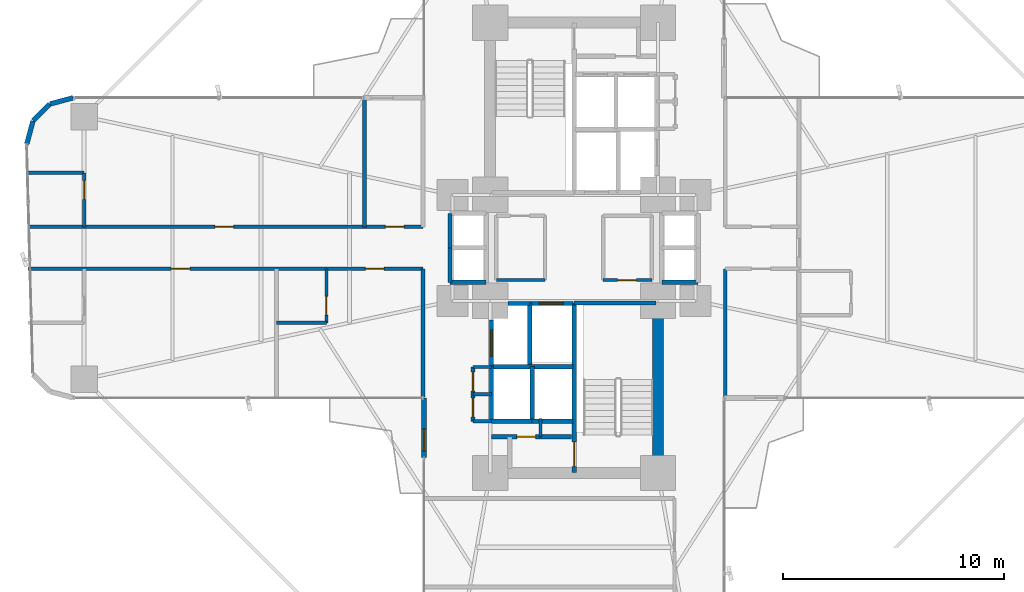
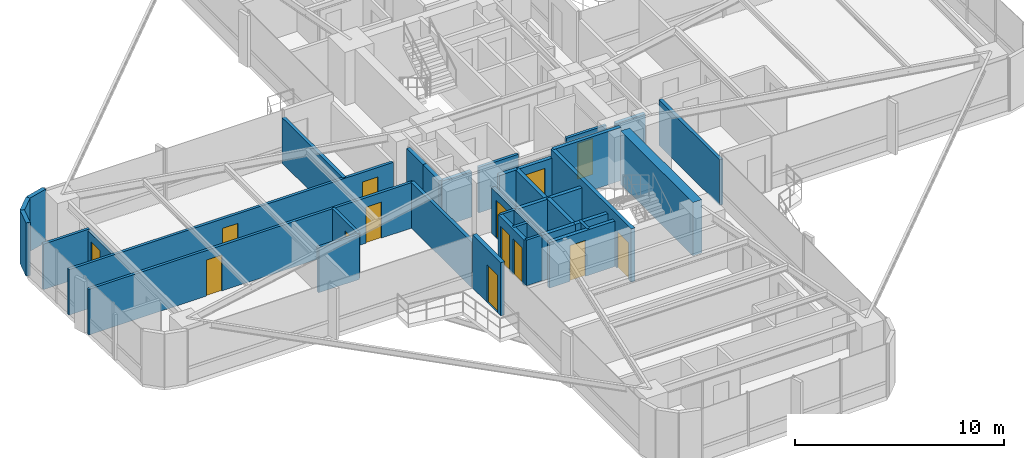
# One storey, part 22 of 26: 37 walls, 14 doors, 14 openings.
"""IFC4 building model written with IfcOpenShell, lengths in metres."""

from ifc_helpers import new_model, si_unit, direction, frame, frame_2d, origin, origin_2d, place, context, subcontext, project, spatial, rectangle, extrude, source, transform, mapped, material, layer, layer_set, type_object, element, fill, save


model = new_model("IFC4")

# Units and contexts
model_context = context("Model", 3, precision=1e-05, world=origin(), true_north=direction((0.0, 1.0)))
body_context = subcontext(model_context, "Body", "Model", "MODEL_VIEW")
ifc_project = project(units=[si_unit("LENGTHUNIT", "METRE"), si_unit("AREAUNIT", "SQUARE_METRE"), si_unit("VOLUMEUNIT", "CUBIC_METRE"), si_unit("PLANEANGLEUNIT", "RADIAN"), si_unit("MASSUNIT", "GRAM", prefix="KILO")], contexts=[model_context])

# Site, building, storey
site_placement = place(None, origin())
site = spatial("IfcSite", under=ifc_project, at=site_placement, CompositionType="ELEMENT")
building_placement = place(site_placement, origin())
building = spatial("IfcBuilding", under=site, at=building_placement, Name="Sahyath Konkavel Grand Hotel", CompositionType="ELEMENT")
storey_placement = place(building_placement, frame((0.0, 0.0, 29.800048828125)))
storey = spatial("IfcBuildingStorey", under=building, at=storey_placement, Name="L07", CompositionType="ELEMENT", Elevation=29.800048828125)

# Walls
ifc_material_1 = material(Name="Concrete C70/85", Category="concrete")
ifc_layer_1 = layer(ifc_material_1, 0.5)
ifc_layer_set_1 = layer_set([ifc_layer_1], Name="Concrete C70/85")
wall_type_1 = type_object("IfcWallType", Name="CWALL-500", PredefinedType="SHEAR", material=ifc_layer_set_1)
wall_1_placement = place(storey_placement, frame((3.800048828125, -9.75, 0.0), z_axis=(0.0, 0.0, 1.0), x_axis=(0.0, 1.0, 0.0)))
element("IfcWall", 1, at=wall_1_placement, inside=storey, type_object=wall_type_1, Name="L07 South Core Shear Wall E", PredefinedType="SHEAR", context=body_context, shape_type="SweptSolid", body=[
    extrude(rectangle(XDim=6.89990234375, YDim=0.5, at=frame_2d((3.449951171875, 0.0))), origin(), (0.0, 0.0, 1.0), 3.10986328125),
])
ifc_material_2 = material(Name="Warm Buff Sandstone Insulated Concrete C40/50", Category="masonry")
ifc_layer_2 = layer(ifc_material_2, 0.219970703125)
ifc_layer_set_2 = layer_set([ifc_layer_2], Name="Warm Buff Sandstone Insulated Concrete C40/50")
wall_type_2 = type_object("IfcWallType", Name="WLL-BALC-THRESH", PredefinedType="STANDARD", material=ifc_layer_set_2)
for number, where, z_axis, x_axis, name in (
    (2, (-22.699951171875, 6.800048828125, 0.0), (0.0, 0.0, 1.0), (-0.965951058412, -0.25872485917, 0.0), "L07 Rounded Corner Sandstone Pier 17"),
    (3, (-23.75, 6.518798828125, 0.0), (0.0, 0.0, 1.0), (-0.707106781187, -0.707106781187, 0.0), "L07 Rounded Corner Sandstone Pier 18"),
    (4, (-24.518798828125, 5.75, 0.0), (0.0, 0.0, 1.0), (-0.25872485917, -0.965951058412, 0.0), "L07 Rounded Corner Sandstone Pier 19"),
):
    element("IfcWall", number, at=place(storey_placement, frame(where, z_axis=z_axis, x_axis=x_axis)), inside=storey, type_object=wall_type_2, Name=name, PredefinedType="STANDARD", context=body_context, shape_type="SweptSolid", body=[
        extrude(rectangle(XDim=1.087158203125, YDim=0.219970703125, at=frame_2d((0.54345703125, 0.0))), origin(), (0.0, 0.0, 1.0), 3.10986328125),
    ])

# Wall, opening, door
wall_2_placement = place(storey_placement, frame((-6.800048828125, -6.800048828125, 0.0), z_axis=(0.0, 0.0, 1.0), x_axis=(0.0, -1.0, 0.0)))
wall_2 = element("IfcWall", 5, at=wall_2_placement, inside=storey, type_object=wall_type_2, Name="L07 Winter-Garden Threshold Wall 24", PredefinedType="STANDARD", context=body_context, shape_type="SweptSolid", body=[
    extrude(rectangle(XDim=2.699951171875, YDim=0.219970703125, at=frame_2d((1.35009765625, 0.0))), origin(), (0.0, 0.0, 1.0), 3.10986328125),
])
opening_1_placement = place(wall_2_placement, frame((1.39990234375, 0.0, 0.0)))
opening_1 = element("IfcOpeningElement", 6, at=opening_1_placement, cuts=wall_2, Name="Opening D-TR1", PredefinedType="OPENING", context=body_context, shape_type="SweptSolid", body=[
    extrude(rectangle(XDim=1.0, YDim=2.199951171875, at=frame_2d((0.5, 1.10009765625))), frame((0.0, 0.1201171875, 0.0), z_axis=(0.0, -1.0, 0.0), x_axis=(1.0, 0.0, 0.0)), (0.0, 0.0, 1.0), 0.239990234375),
])
ifc_material_3 = material(Name="Anodised Bronze Aluminium & Low-E Glazing", Category="aluminium")
door_type_1 = type_object("IfcDoorType", Name="DR-TERRACE-1000", OperationType="NOTDEFINED", PredefinedType="DOOR", material=ifc_material_3)
shared_shape_1 = source(origin(), body_context, "Body", "SweptSolid", [
    extrude(rectangle(XDim=1.0, YDim=0.050048828125, at=origin_2d()), origin(), (0.0, 0.0, 1.0), 2.199951171875),
])
door_1_placement = place(opening_1_placement, frame((0.5, 0.0, 0.0)))
door_1 = element("IfcDoor", 7, at=door_1_placement, inside=storey, type_object=door_type_1, Name="L07 Winter-Garden Terrace Door 24", OperationType="SINGLE_SWING_LEFT", OverallHeight=2.199951171875, OverallWidth=1.0, PredefinedType="DOOR", context=body_context, shape_type="MappedRepresentation", body=[
    mapped(shared_shape_1, transform((0.0, 0.0, 0.0), scale=1.0)),
])
fill(opening_1, door_1)

ifc_material_4 = material(Name="Concrete C40/50", Category="concrete")
ifc_layer_3 = layer(ifc_material_4, 0.199951171875)
ifc_layer_set_3 = layer_set([ifc_layer_3], Name="Concrete C40/50")
wall_type_3 = type_object("IfcWallType", Name="WLL-CORE-200", PredefinedType="SOLIDWALL", material=ifc_layer_set_3)
wall_3_placement = place(storey_placement, frame((0.0, -10.179931640625, 0.0), z_axis=(0.0, 0.0, 1.0), x_axis=(0.0, 1.0, 0.0)))
wall_3 = element("IfcWall", 8, at=wall_3_placement, inside=storey, type_object=wall_type_3, Name="L07 Stair ST-2 Shaft Wall W", PredefinedType="SOLIDWALL", context=body_context, shape_type="SweptSolid", body=[
    extrude(rectangle(XDim=7.679931640625, YDim=0.199951171875, at=frame_2d((3.83984375, 0.0))), origin(), (0.0, 0.0, 1.0), 3.10986328125),
])
opening_2_placement = place(wall_3_placement, frame((0.280029296875, 0.0, 0.0)))
opening_2 = element("IfcOpeningElement", 9, at=opening_2_placement, cuts=wall_3, Name="Opening D-F12B", PredefinedType="OPENING", context=body_context, shape_type="SweptSolid", body=[
    extrude(rectangle(XDim=1.10009765625, YDim=2.14990234375, at=frame_2d((0.550048828125, 1.074951171875))), frame((0.0, 0.10986328125, 0.0), z_axis=(0.0, -1.0, 0.0), x_axis=(1.0, 0.0, 0.0)), (0.0, 0.0, 1.0), 0.219970703125),
])
ifc_material_5 = material(Name="Steel E350 Smokeproof Fire Door", Category="steel")
door_type_2 = type_object("IfcDoorType", Name="DR-FD120-1100", OperationType="NOTDEFINED", PredefinedType="DOOR", material=ifc_material_5)
shared_shape_2 = source(origin(), body_context, "Body", "SweptSolid", [
    extrude(rectangle(XDim=1.10009765625, YDim=0.050048828125, at=origin_2d()), origin(), (0.0, 0.0, 1.0), 2.14990234375),
])
door_2_placement = place(opening_2_placement, frame((0.550048828125, 0.0, 0.0)))
door_2 = element("IfcDoor", 10, at=door_2_placement, inside=storey, type_object=door_type_2, Name="L07 Stair ST-2 Fire Door", OperationType="SINGLE_SWING_LEFT", OverallHeight=2.14990234375, OverallWidth=1.10009765625, PredefinedType="DOOR", context=body_context, shape_type="MappedRepresentation", body=[
    mapped(shared_shape_2, transform((0.0, 0.0, 0.0), scale=1.0)),
])
fill(opening_2, door_2)

# Walls
wall_4_placement = place(storey_placement, frame((0.0, -2.5, 0.0), z_axis=(0.0, 0.0, 1.0), x_axis=(1.0, 0.0, 0.0)))
element("IfcWall", 11, at=wall_4_placement, inside=storey, type_object=wall_type_3, Name="L07 Stair ST-2 Shaft Wall N", PredefinedType="SOLIDWALL", context=body_context, shape_type="SweptSolid", body=[
    extrude(rectangle(XDim=3.719970703125, YDim=0.199951171875, at=frame_2d((1.85986328125, 0.0))), origin(), (0.0, 0.0, 1.0), 3.10986328125),
])
wall_5_placement = place(storey_placement, frame((-2.0, -5.280029296875, 0.0), z_axis=(0.0, 0.0, 1.0), x_axis=(0.0, 1.0, 0.0)))
element("IfcWall", 12, at=wall_5_placement, inside=storey, type_object=wall_type_3, Name="L07 Partition SH-FFL2-W", PredefinedType="SOLIDWALL", context=body_context, shape_type="SweptSolid", body=[
    extrude(rectangle(XDim=2.780029296875, YDim=0.199951171875, at=frame_2d((1.39013671875, 0.0))), origin(), (0.0, 0.0, 1.0), 2.659912109375),
])

# Wall, opening, door
wall_6_placement = place(storey_placement, frame((-2.0, -2.52001953125, 0.0), z_axis=(0.0, 0.0, 1.0), x_axis=(1.0, 0.0, 0.0)))
wall_6 = element("IfcWall", 13, at=wall_6_placement, inside=storey, type_object=wall_type_3, Name="L07 Partition SH-FFL2-N", PredefinedType="SOLIDWALL", context=body_context, shape_type="SweptSolid", body=[
    extrude(rectangle(XDim=1.949951171875, YDim=0.199951171875, at=frame_2d((0.97509765625, 0.0))), origin(), (0.0, 0.0, 1.0), 2.659912109375),
])
opening_3_placement = place(wall_6_placement, frame((0.419921875, 0.0, 0.0)))
opening_3 = element("IfcOpeningElement", 14, at=opening_3_placement, cuts=wall_6, Name="Opening LD-11", PredefinedType="OPENING", context=body_context, shape_type="SweptSolid", body=[
    extrude(rectangle(XDim=1.10009765625, YDim=2.199951171875, at=frame_2d((0.550048828125, 1.10009765625))), frame((0.0, 0.10986328125, 0.0), z_axis=(0.0, -1.0, 0.0), x_axis=(1.0, 0.0, 0.0)), (0.0, 0.0, 1.0), 0.219970703125),
])
ifc_material_6 = material(Name="Bronze Lift Landing Door 1100")
door_type_3 = type_object("IfcDoorType", Name="DR-LIFT-1100", OperationType="DOUBLE_DOOR_SLIDING", PredefinedType="DOOR", material=ifc_material_6)
shared_shape_3 = source(origin(), body_context, "Body", "SweptSolid", [
    extrude(rectangle(XDim=1.10009765625, YDim=0.050048828125, at=origin_2d()), origin(), (0.0, 0.0, 1.0), 2.199951171875),
])
door_3_placement = place(opening_3_placement, frame((0.550048828125, 0.0, 0.0)))
door_3 = element("IfcDoor", 15, at=door_3_placement, inside=storey, type_object=door_type_3, Name="L07 Lift FFL-2 Landing Door", OperationType="DOUBLE_DOOR_SLIDING", OverallHeight=2.199951171875, OverallWidth=1.10009765625, PredefinedType="DOOR", context=body_context, shape_type="MappedRepresentation", body=[
    mapped(shared_shape_3, transform((0.0, 0.0, 0.0), scale=1.0)),
])
fill(opening_3, door_3)

# Wall
wall_7_placement = place(storey_placement, frame((-3.0, -2.52001953125, 0.0), z_axis=(0.0, 0.0, 1.0), x_axis=(1.0, 0.0, 0.0)))
element("IfcWall", 16, at=wall_7_placement, inside=storey, type_object=wall_type_3, Name="L07 Partition SH-SVL2-N", PredefinedType="SOLIDWALL", context=body_context, shape_type="SweptSolid", body=[
    extrude(rectangle(XDim=1.0, YDim=0.199951171875, at=frame_2d((0.5, 0.0))), origin(), (0.0, 0.0, 1.0), 2.659912109375),
])

# Wall, opening, door
wall_8_placement = place(storey_placement, frame((-3.739990234375, -5.360107421875, 0.0), z_axis=(0.0, 0.0, 1.0), x_axis=(0.0, 1.0, 0.0)))
wall_8 = element("IfcWall", 17, at=wall_8_placement, inside=storey, type_object=wall_type_3, Name="L07 Partition SH-SVL2-W", PredefinedType="SOLIDWALL", context=body_context, shape_type="SweptSolid", body=[
    extrude(rectangle(XDim=2.080078125, YDim=0.199951171875, at=frame_2d((1.0400390625, 0.0))), origin(), (0.0, 0.0, 1.0), 2.659912109375),
])
opening_4_placement = place(wall_8_placement, frame((0.43994140625, 0.0, 0.0)))
opening_4 = element("IfcOpeningElement", 18, at=opening_4_placement, cuts=wall_8, Name="Opening LD-12", PredefinedType="OPENING", context=body_context, shape_type="SweptSolid", body=[
    extrude(rectangle(XDim=1.199951171875, YDim=2.199951171875, at=frame_2d((0.60009765625, 1.10009765625))), frame((0.0, 0.10986328125, 0.0), z_axis=(0.0, -1.0, 0.0), x_axis=(1.0, 0.0, 0.0)), (0.0, 0.0, 1.0), 0.219970703125),
])
ifc_material_7 = material(Name="Stainless Steel Lift Landing Door 1200", Category="steel")
door_type_4 = type_object("IfcDoorType", Name="DR-LIFT-1200", OperationType="DOUBLE_DOOR_SLIDING", PredefinedType="DOOR", material=ifc_material_7)
shared_shape_4 = source(origin(), body_context, "Body", "SweptSolid", [
    extrude(rectangle(XDim=1.199951171875, YDim=0.050048828125, at=origin_2d()), origin(), (0.0, 0.0, 1.0), 2.199951171875),
])
door_4_placement = place(opening_4_placement, frame((0.60009765625, 0.0, 0.0)))
door_4 = element("IfcDoor", 19, at=door_4_placement, inside=storey, type_object=door_type_4, Name="L07 Service Lift SVL-2 Landing Door", OperationType="DOUBLE_DOOR_SLIDING", OverallHeight=2.199951171875, OverallWidth=1.199951171875, PredefinedType="DOOR", context=body_context, shape_type="MappedRepresentation", body=[
    mapped(shared_shape_4, transform((0.0, 0.0, 0.0), scale=1.0)),
])
fill(opening_4, door_4)

# Walls
wall_9_placement = place(storey_placement, frame((-3.739990234375, -7.860107421875, 0.0), z_axis=(0.0, 0.0, 1.0), x_axis=(0.0, 1.0, 0.0)))
element("IfcWall", 20, at=wall_9_placement, inside=storey, type_object=wall_type_3, Name="L07 Partition SH-PL3-W", PredefinedType="SOLIDWALL", context=body_context, shape_type="SweptSolid", body=[
    extrude(rectangle(XDim=2.480224609375, YDim=0.199951171875, at=frame_2d((1.240234375, 0.0))), origin(), (0.0, 0.0, 1.0), 2.659912109375),
])
wall_10_placement = place(storey_placement, frame((-3.739990234375, -7.860107421875, 0.0), z_axis=(0.0, 0.0, 1.0), x_axis=(1.0, 0.0, 0.0)))
element("IfcWall", 21, at=wall_10_placement, inside=storey, type_object=wall_type_3, Name="L07 Partition SH-PL3-S", PredefinedType="SOLIDWALL", context=body_context, shape_type="SweptSolid", body=[
    extrude(rectangle(XDim=1.840087890625, YDim=0.199951171875, at=frame_2d((0.919921875, 0.0))), origin(), (0.0, 0.0, 1.0), 2.659912109375),
])
wall_11_placement = place(storey_placement, frame((-3.739990234375, -5.3798828125, 0.0), z_axis=(0.0, 0.0, 1.0), x_axis=(1.0, 0.0, 0.0)))
element("IfcWall", 22, at=wall_11_placement, inside=storey, type_object=wall_type_3, Name="L07 Partition SH-PL34-N", PredefinedType="SOLIDWALL", context=body_context, shape_type="SweptSolid", body=[
    extrude(rectangle(XDim=3.68994140625, YDim=0.199951171875, at=frame_2d((1.844970703125, 0.0))), origin(), (0.0, 0.0, 1.0), 2.659912109375),
])
wall_12_placement = place(storey_placement, frame((-1.89990234375, -7.860107421875, 0.0), z_axis=(0.0, 0.0, 1.0), x_axis=(0.0, 1.0, 0.0)))
element("IfcWall", 23, at=wall_12_placement, inside=storey, type_object=wall_type_3, Name="L07 Partition SH-PL34-M", PredefinedType="SOLIDWALL", context=body_context, shape_type="SweptSolid", body=[
    extrude(rectangle(XDim=2.480224609375, YDim=0.199951171875, at=frame_2d((1.240234375, 0.0))), origin(), (0.0, 0.0, 1.0), 2.659912109375),
])
wall_13_placement = place(storey_placement, frame((-1.89990234375, -7.860107421875, 0.0), z_axis=(0.0, 0.0, 1.0), x_axis=(1.0, 0.0, 0.0)))
element("IfcWall", 24, at=wall_13_placement, inside=storey, type_object=wall_type_3, Name="L07 Partition SH-PL4-S", PredefinedType="SOLIDWALL", context=body_context, shape_type="SweptSolid", body=[
    extrude(rectangle(XDim=1.849853515625, YDim=0.199951171875, at=frame_2d((0.9248046875, 0.0))), origin(), (0.0, 0.0, 1.0), 2.659912109375),
])
for number, where, z_axis, x_axis, name in (
    (25, (3.97998046875, -1.56005859375, 0.0), (0.0, 0.0, 1.0), (1.0, 0.0, 0.0), "L07 Partition SH-PL56-S"),
    (26, (-5.6201171875, -1.56005859375, 0.0), (0.0, 0.0, 1.0), (1.0, 0.0, 0.0), "L07 Partition SH-SL12-S"),
):
    element("IfcWall", number, at=place(storey_placement, frame(where, z_axis=z_axis, x_axis=x_axis)), inside=storey, type_object=wall_type_3, Name=name, PredefinedType="SOLIDWALL", context=body_context, shape_type="SweptSolid", body=[
        extrude(rectangle(XDim=1.64013671875, YDim=0.199951171875, at=frame_2d((0.820068359375, 0.0))), origin(), (0.0, 0.0, 1.0), 2.659912109375),
    ])
for number, where, z_axis, x_axis, name in (
    (27, (-5.6201171875, 0.0, 0.0), (0.0, 0.0, 1.0), (0.0, 1.0, 0.0), "L07 Partition SH-SL1-W"),
    (28, (-5.6201171875, -1.56005859375, 0.0), (0.0, 0.0, 1.0), (0.0, 1.0, 0.0), "L07 Partition SH-SL2-W"),
):
    element("IfcWall", number, at=place(storey_placement, frame(where, z_axis=z_axis, x_axis=x_axis)), inside=storey, type_object=wall_type_3, Name=name, PredefinedType="SOLIDWALL", context=body_context, shape_type="SweptSolid", body=[
        extrude(rectangle(XDim=1.56005859375, YDim=0.199951171875, at=frame_2d((0.780029296875, 0.0))), origin(), (0.0, 0.0, 1.0), 2.659912109375),
    ])

# Wall, opening, door
wall_14_placement = place(storey_placement, frame((-3.739990234375, -8.56005859375, 0.0), z_axis=(0.0, 0.0, 1.0), x_axis=(1.0, 0.0, 0.0)))
wall_14 = element("IfcWall", 29, at=wall_14_placement, inside=storey, type_object=wall_type_3, Name="L07 South FF Lobby Separation Wall", PredefinedType="SOLIDWALL", context=body_context, shape_type="SweptSolid", body=[
    extrude(rectangle(XDim=3.619873046875, YDim=0.199951171875, at=frame_2d((1.81005859375, 0.0))), origin(), (0.0, 0.0, 1.0), 2.659912109375),
])
opening_5_placement = place(wall_14_placement, frame((1.14990234375, 0.0, 0.0)))
opening_5 = element("IfcOpeningElement", 30, at=opening_5_placement, cuts=wall_14, Name="Opening D-F12D", PredefinedType="OPENING", context=body_context, shape_type="SweptSolid", body=[
    extrude(rectangle(XDim=0.85009765625, YDim=2.10009765625, at=frame_2d((0.425048828125, 1.050048828125))), frame((0.0, 0.10986328125, 0.0), z_axis=(0.0, -1.0, 0.0), x_axis=(1.0, 0.0, 0.0)), (0.0, 0.0, 1.0), 0.219970703125),
])
ifc_material_8 = material(Name="Steel E350 Core Fire Door", Category="steel")
door_type_5 = type_object("IfcDoorType", Name="DR-FD120-850", OperationType="NOTDEFINED", PredefinedType="DOOR", material=ifc_material_8)
shared_shape_5 = source(origin(), body_context, "Body", "SweptSolid", [
    extrude(rectangle(XDim=0.85009765625, YDim=0.050048828125, at=origin_2d()), origin(), (0.0, 0.0, 1.0), 2.10009765625),
])
door_5_placement = place(opening_5_placement, frame((0.425048828125, 0.0, 0.0)))
door_5 = element("IfcDoor", 31, at=door_5_placement, inside=storey, type_object=door_type_5, Name="L07 South Firefighting Lobby Door", OperationType="SINGLE_SWING_RIGHT", OverallHeight=2.10009765625, OverallWidth=0.85009765625, PredefinedType="DOOR", context=body_context, shape_type="MappedRepresentation", body=[
    mapped(shared_shape_5, transform((0.0, 0.0, 0.0), scale=1.0)),
])
fill(opening_5, door_5)

# Wall, openings, doors
wall_15_placement = place(storey_placement, frame((-4.580078125, -7.860107421875, 0.0), z_axis=(0.0, 0.0, 1.0), x_axis=(0.0, 1.0, 0.0)))
wall_15 = element("IfcWall", 32, at=wall_15_placement, inside=storey, type_object=wall_type_3, Name="L07 Partition SC-FLK-W", PredefinedType="SOLIDWALL", context=body_context, shape_type="SweptSolid", body=[
    extrude(rectangle(XDim=2.460205078125, YDim=0.199951171875, at=frame_2d((1.22998046875, 0.0))), origin(), (0.0, 0.0, 1.0), 2.659912109375),
])
opening_6_placement = place(wall_15_placement, frame((0.199951171875, 0.0, 0.0)))
opening_6 = element("IfcOpeningElement", 33, at=opening_6_placement, cuts=wall_15, Name="Opening D-F06D", PredefinedType="OPENING", context=body_context, shape_type="SweptSolid", body=[
    extrude(rectangle(XDim=0.85009765625, YDim=2.10009765625, at=frame_2d((0.425048828125, 1.050048828125))), frame((0.0, 0.10986328125, 0.0), z_axis=(0.0, -1.0, 0.0), x_axis=(1.0, 0.0, 0.0)), (0.0, 0.0, 1.0), 0.219970703125),
])
opening_7_placement = place(wall_15_placement, frame((1.3798828125, 0.0, 0.0)))
opening_7 = element("IfcOpeningElement", 34, at=opening_7_placement, cuts=wall_15, Name="Opening D-F06D", PredefinedType="OPENING", context=body_context, shape_type="SweptSolid", body=[
    extrude(rectangle(XDim=0.85009765625, YDim=2.10009765625, at=frame_2d((0.425048828125, 1.050048828125))), frame((0.0, 0.10986328125, 0.0), z_axis=(0.0, -1.0, 0.0), x_axis=(1.0, 0.0, 0.0)), (0.0, 0.0, 1.0), 0.219970703125),
])
ifc_material_9 = material(Name="Fire-Rated Shaft Access Door")
door_type_6 = type_object("IfcDoorType", Name="DR-FD60-850", OperationType="NOTDEFINED", PredefinedType="DOOR", material=ifc_material_9)
door_6_placement = place(opening_6_placement, frame((0.425048828125, 0.0, 0.0)))
door_6 = element("IfcDoor", 35, at=door_6_placement, inside=storey, type_object=door_type_6, Name="L07 Door SC-FLK1-D", OperationType="SINGLE_SWING_RIGHT", OverallHeight=2.10009765625, OverallWidth=0.85009765625, PredefinedType="DOOR", context=body_context, shape_type="MappedRepresentation", body=[
    mapped(shared_shape_5, transform((0.0, 0.0, 0.0), scale=1.0)),
])
fill(opening_6, door_6)
door_7_placement = place(opening_7_placement, frame((0.425048828125, 0.0, 0.0)))
door_7 = element("IfcDoor", 36, at=door_7_placement, inside=storey, type_object=door_type_6, Name="L07 Door SC-FLK2-D", OperationType="SINGLE_SWING_LEFT", OverallHeight=2.10009765625, OverallWidth=0.85009765625, PredefinedType="DOOR", context=body_context, shape_type="MappedRepresentation", body=[
    mapped(shared_shape_5, transform((0.0, 0.0, 0.0), scale=1.0)),
])
fill(opening_7, door_7)

# Walls
ifc_material_10 = material(Name="Twin-Stud Acoustic Gypsum Plasterboard Partition")
ifc_layer_4 = layer(ifc_material_10, 0.179931640625)
ifc_layer_set_4 = layer_set([ifc_layer_4], Name="Twin-Stud Acoustic Gypsum Plasterboard Partition")
wall_type_4 = type_object("IfcWallType", Name="WLL-DEMISE-180", PredefinedType="PARTITIONING", material=ifc_layer_set_4)
for number, where, z_axis, x_axis, name in (
    (37, (6.85009765625, -6.75, 0.0), (0.0, 0.0, 1.0), (0.0, 1.0, 0.0), "L07 Partition E-INR"),
    (38, (-6.85009765625, -0.949951171875, 0.0), (0.0, 0.0, 1.0), (0.0, -1.0, 0.0), "L07 Partition W-INL"),
    (39, (-9.5, 0.949951171875, 0.0), (0.0, 0.0, 1.0), (0.0, 1.0, 0.0), "L07 Partition W-WHK-DEM"),
):
    element("IfcWall", number, at=place(storey_placement, frame(where, z_axis=z_axis, x_axis=x_axis)), inside=storey, type_object=wall_type_4, Name=name, PredefinedType="PARTITIONING", context=body_context, shape_type="SweptSolid", body=[
        extrude(rectangle(XDim=5.800048828125, YDim=0.179931640625, at=frame_2d((2.89990234375, 0.0))), origin(), (0.0, 0.0, 1.0), 2.659912109375),
    ])
ifc_material_11 = material(Name="Fire-Rated Gypsum Plasterboard Partition")
ifc_layer_5 = layer(ifc_material_11, 0.14990234375)
ifc_layer_set_5 = layer_set([ifc_layer_5], Name="Fire-Rated Gypsum Plasterboard Partition")
wall_type_5 = type_object("IfcWallType", Name="WLL-PART-150", PredefinedType="PARTITIONING", material=ifc_layer_set_5)
wall_16_placement = place(storey_placement, frame((-1.52001953125, -8.56005859375, 0.0), z_axis=(0.0, 0.0, 1.0), x_axis=(0.0, 1.0, 0.0)))
element("IfcWall", 40, at=wall_16_placement, inside=storey, type_object=wall_type_5, Name="L07 Partition SC-VST-E", PredefinedType="PARTITIONING", context=body_context, shape_type="SweptSolid", body=[
    extrude(rectangle(XDim=0.820068359375, YDim=0.14990234375, at=frame_2d((0.41015625, 0.0))), origin(), (0.0, 0.0, 1.0), 2.659912109375),
])
for number, where, z_axis, x_axis, name in (
    (41, (-4.580078125, -5.39990234375, 0.0), (0.0, 0.0, 1.0), (1.0, 0.0, 0.0), "L07 Partition SC-FLK-N"),
    (42, (-4.580078125, -7.860107421875, 0.0), (0.0, 0.0, 1.0), (1.0, 0.0, 0.0), "L07 Partition SC-FLK-S"),
    (43, (-4.580078125, -6.6298828125, 0.0), (0.0, 0.0, 1.0), (1.0, 0.0, 0.0), "L07 Partition SC-FLK-M"),
):
    element("IfcWall", number, at=place(storey_placement, frame(where, z_axis=z_axis, x_axis=x_axis)), inside=storey, type_object=wall_type_5, Name=name, PredefinedType="PARTITIONING", context=body_context, shape_type="SweptSolid", body=[
        extrude(rectangle(XDim=0.840087890625, YDim=0.14990234375, at=frame_2d((0.419921875, 0.0))), origin(), (0.0, 0.0, 1.0), 2.659912109375),
    ])
wall_17_placement = place(storey_placement, frame((-3.52001953125, -1.4599609375, 0.0), z_axis=(0.0, 0.0, 1.0), x_axis=(1.0, 0.0, 0.0)))
element("IfcWall", 44, at=wall_17_placement, inside=storey, type_object=wall_type_5, Name="L07 Partition CC-1WS", PredefinedType="PARTITIONING", context=body_context, shape_type="SweptSolid", body=[
    extrude(rectangle(XDim=2.199951171875, YDim=0.14990234375, at=frame_2d((1.10009765625, 0.0))), origin(), (0.0, 0.0, 1.0), 2.659912109375),
])

# Wall, opening, door
wall_18_placement = place(storey_placement, frame((1.320068359375, -1.4599609375, 0.0), z_axis=(0.0, 0.0, 1.0), x_axis=(1.0, 0.0, 0.0)))
wall_18 = element("IfcWall", 45, at=wall_18_placement, inside=storey, type_object=wall_type_5, Name="L07 Partition CC-1ES", PredefinedType="PARTITIONING", context=body_context, shape_type="SweptSolid", body=[
    extrude(rectangle(XDim=2.199951171875, YDim=0.14990234375, at=frame_2d((1.10009765625, 0.0))), origin(), (0.0, 0.0, 1.0), 2.659912109375),
])
opening_8_placement = place(wall_18_placement, frame((0.64990234375, 0.0, 0.0)))
opening_8 = element("IfcOpeningElement", 46, at=opening_8_placement, cuts=wall_18, Name="Opening D-F06D", PredefinedType="OPENING", context=body_context, shape_type="SweptSolid", body=[
    extrude(rectangle(XDim=0.85009765625, YDim=2.10009765625, at=frame_2d((0.425048828125, 1.050048828125))), frame((0.0, 0.0849609375, 0.0), z_axis=(0.0, -1.0, 0.0), x_axis=(1.0, 0.0, 0.0)), (0.0, 0.0, 1.0), 0.169921875),
])
door_8_placement = place(opening_8_placement, frame((0.425048828125, 0.0, 0.0)))
door_8 = element("IfcDoor", 47, at=door_8_placement, inside=storey, type_object=door_type_6, Name="L07 Door CC-D1E", OperationType="SINGLE_SWING_LEFT", OverallHeight=2.10009765625, OverallWidth=0.85009765625, PredefinedType="DOOR", context=body_context, shape_type="MappedRepresentation", body=[
    mapped(shared_shape_5, transform((0.0, 0.0, 0.0), scale=1.0)),
])
fill(opening_8, door_8)

# Wall, openings, doors
wall_19_placement = place(storey_placement, frame((-6.85009765625, -0.949951171875, 0.0), z_axis=(0.0, 0.0, 1.0), x_axis=(-1.0, 0.0, 0.0)))
wall_19 = element("IfcWall", 48, at=wall_19_placement, inside=storey, type_object=wall_type_5, Name="L07 Partition W-CL", PredefinedType="PARTITIONING", context=body_context, shape_type="SweptSolid", body=[
    extrude(rectangle(XDim=17.89990234375, YDim=0.14990234375, at=frame_2d((8.949951171875, 0.0))), origin(), (0.0, 0.0, 1.0), 2.659912109375),
])
opening_9_placement = place(wall_19_placement, frame((1.760009765625, 0.0, 0.0)))
opening_9 = element("IfcOpeningElement", 49, at=opening_9_placement, cuts=wall_19, Name="Opening D-F06D", PredefinedType="OPENING", context=body_context, shape_type="SweptSolid", body=[
    extrude(rectangle(XDim=0.85009765625, YDim=2.10009765625, at=frame_2d((0.425048828125, 1.050048828125))), frame((0.0, 0.0849609375, 0.0), z_axis=(0.0, -1.0, 0.0), x_axis=(1.0, 0.0, 0.0)), (0.0, 0.0, 1.0), 0.169921875),
])
opening_10_placement = place(wall_19_placement, frame((10.56201171875, 0.0, 0.0)))
opening_10 = element("IfcOpeningElement", 50, at=opening_10_placement, cuts=wall_19, Name="Opening D-F06D", PredefinedType="OPENING", context=body_context, shape_type="SweptSolid", body=[
    extrude(rectangle(XDim=0.85009765625, YDim=2.10009765625, at=frame_2d((0.425048828125, 1.050048828125))), frame((0.0, 0.0849609375, 0.0), z_axis=(0.0, -1.0, 0.0), x_axis=(1.0, 0.0, 0.0)), (0.0, 0.0, 1.0), 0.169921875),
])
door_9_placement = place(opening_9_placement, frame((0.425048828125, 0.0, 0.0)))
door_9 = element("IfcDoor", 51, at=door_9_placement, inside=storey, type_object=door_type_6, Name="L07 Door W-W1L-ED", OperationType="SINGLE_SWING_LEFT", OverallHeight=2.10009765625, OverallWidth=0.85009765625, PredefinedType="DOOR", context=body_context, shape_type="MappedRepresentation", body=[
    mapped(shared_shape_5, transform((0.0, 0.0, 0.0), scale=1.0)),
])
fill(opening_9, door_9)
door_10_placement = place(opening_10_placement, frame((0.425048828125, 0.0, 0.0)))
door_10 = element("IfcDoor", 52, at=door_10_placement, inside=storey, type_object=door_type_6, Name="L07 Door W-W2L-ED", OperationType="SINGLE_SWING_LEFT", OverallHeight=2.10009765625, OverallWidth=0.85009765625, PredefinedType="DOOR", context=body_context, shape_type="MappedRepresentation", body=[
    mapped(shared_shape_5, transform((0.0, 0.0, 0.0), scale=1.0)),
])
fill(opening_10, door_10)

wall_20_placement = place(storey_placement, frame((-6.85009765625, 0.949951171875, 0.0), z_axis=(0.0, 0.0, 1.0), x_axis=(-1.0, 0.0, 0.0)))
wall_20 = element("IfcWall", 53, at=wall_20_placement, inside=storey, type_object=wall_type_5, Name="L07 Partition W-CR", PredefinedType="PARTITIONING", context=body_context, shape_type="SweptSolid", body=[
    extrude(rectangle(XDim=17.89990234375, YDim=0.14990234375, at=frame_2d((8.949951171875, 0.0))), origin(), (0.0, 0.0, 1.0), 2.659912109375),
])
opening_11_placement = place(wall_20_placement, frame((0.85009765625, 0.0, 0.0)))
opening_11 = element("IfcOpeningElement", 54, at=opening_11_placement, cuts=wall_20, Name="Opening D-F06D", PredefinedType="OPENING", context=body_context, shape_type="SweptSolid", body=[
    extrude(rectangle(XDim=0.85009765625, YDim=2.10009765625, at=frame_2d((0.425048828125, 1.050048828125))), frame((0.0, 0.0849609375, 0.0), z_axis=(0.0, -1.0, 0.0), x_axis=(1.0, 0.0, 0.0)), (0.0, 0.0, 1.0), 0.169921875),
])
opening_12_placement = place(wall_20_placement, frame((8.574951171875, 0.0, 0.0)))
opening_12 = element("IfcOpeningElement", 55, at=opening_12_placement, cuts=wall_20, Name="Opening D-F06D", PredefinedType="OPENING", context=body_context, shape_type="SweptSolid", body=[
    extrude(rectangle(XDim=0.85009765625, YDim=2.10009765625, at=frame_2d((0.425048828125, 1.050048828125))), frame((0.0, 0.0849609375, 0.0), z_axis=(0.0, -1.0, 0.0), x_axis=(1.0, 0.0, 0.0)), (0.0, 0.0, 1.0), 0.169921875),
])
door_11_placement = place(opening_11_placement, frame((0.425048828125, 0.0, 0.0)))
door_11 = element("IfcDoor", 56, at=door_11_placement, inside=storey, type_object=door_type_6, Name="L07 Door W-WHK-D", OperationType="SINGLE_SWING_RIGHT", OverallHeight=2.10009765625, OverallWidth=0.85009765625, PredefinedType="DOOR", context=body_context, shape_type="MappedRepresentation", body=[
    mapped(shared_shape_5, transform((0.0, 0.0, 0.0), scale=1.0)),
])
fill(opening_11, door_11)
door_12_placement = place(opening_12_placement, frame((0.425048828125, 0.0, 0.0)))
door_12 = element("IfcDoor", 57, at=door_12_placement, inside=storey, type_object=door_type_6, Name="L07 Door W-W2R-ED", OperationType="SINGLE_SWING_RIGHT", OverallHeight=2.10009765625, OverallWidth=0.85009765625, PredefinedType="DOOR", context=body_context, shape_type="MappedRepresentation", body=[
    mapped(shared_shape_5, transform((0.0, 0.0, 0.0), scale=1.0)),
])
fill(opening_12, door_12)

# Wall, opening, door
wall_21_placement = place(storey_placement, frame((-11.220947265625, -0.949951171875, 0.0), z_axis=(0.0, 0.0, 1.0), x_axis=(0.0, -1.0, 0.0)))
wall_21 = element("IfcWall", 58, at=wall_21_placement, inside=storey, type_object=wall_type_5, Name="L07 Partition W-W1L-BS", PredefinedType="PARTITIONING", context=body_context, shape_type="SweptSolid", body=[
    extrude(rectangle(XDim=2.449951171875, YDim=0.14990234375, at=frame_2d((1.22509765625, 0.0))), origin(), (0.0, 0.0, 1.0), 2.659912109375),
])
opening_13_placement = place(wall_21_placement, frame((1.25, 0.0, 0.0)))
opening_13 = element("IfcOpeningElement", 59, at=opening_13_placement, cuts=wall_21, Name="Opening D-BT85", PredefinedType="OPENING", context=body_context, shape_type="SweptSolid", body=[
    extrude(rectangle(XDim=0.85009765625, YDim=2.10009765625, at=frame_2d((0.425048828125, 1.050048828125))), frame((0.0, 0.0849609375, 0.0), z_axis=(0.0, -1.0, 0.0), x_axis=(1.0, 0.0, 0.0)), (0.0, 0.0, 1.0), 0.169921875),
])
ifc_material_12 = material(Name="Moisture-Resistant Teak Bathroom Door")
door_type_7 = type_object("IfcDoorType", Name="DR-BATH-850", OperationType="NOTDEFINED", PredefinedType="DOOR", material=ifc_material_12)
door_13_placement = place(opening_13_placement, frame((0.425048828125, 0.0, 0.0)))
door_13 = element("IfcDoor", 60, at=door_13_placement, inside=storey, type_object=door_type_7, Name="L07 Door W-W1L-BD", OperationType="SINGLE_SWING_RIGHT", OverallHeight=2.10009765625, OverallWidth=0.85009765625, PredefinedType="DOOR", context=body_context, shape_type="MappedRepresentation", body=[
    mapped(shared_shape_5, transform((0.0, 0.0, 0.0), scale=1.0)),
])
fill(opening_13, door_13)

# Wall
wall_22_placement = place(storey_placement, frame((-11.220947265625, -3.39990234375, 0.0), z_axis=(0.0, 0.0, 1.0), x_axis=(-1.0, 0.0, 0.0)))
element("IfcWall", 61, at=wall_22_placement, inside=storey, type_object=wall_type_5, Name="L07 Partition W-W1L-BF", PredefinedType="PARTITIONING", context=body_context, shape_type="SweptSolid", body=[
    extrude(rectangle(XDim=2.251953125, YDim=0.14990234375, at=frame_2d((1.1259765625, 0.0))), origin(), (0.0, 0.0, 1.0), 2.6298828125),
])

# Wall, opening, door
wall_23_placement = place(storey_placement, frame((-22.199951171875, 0.949951171875, 0.0), z_axis=(0.0, 0.0, 1.0), x_axis=(0.0, 1.0, 0.0)))
wall_23 = element("IfcWall", 62, at=wall_23_placement, inside=storey, type_object=wall_type_5, Name="L07 Partition W-W2R-BS", PredefinedType="PARTITIONING", context=body_context, shape_type="SweptSolid", body=[
    extrude(rectangle(XDim=2.449951171875, YDim=0.14990234375, at=frame_2d((1.22509765625, 0.0))), origin(), (0.0, 0.0, 1.0), 2.579833984375),
])
opening_14_placement = place(wall_23_placement, frame((1.25, 0.0, 0.0)))
opening_14 = element("IfcOpeningElement", 63, at=opening_14_placement, cuts=wall_23, Name="Opening D-BT85", PredefinedType="OPENING", context=body_context, shape_type="SweptSolid", body=[
    extrude(rectangle(XDim=0.85009765625, YDim=2.10009765625, at=frame_2d((0.425048828125, 1.050048828125))), frame((0.0, 0.0849609375, 0.0), z_axis=(0.0, -1.0, 0.0), x_axis=(1.0, 0.0, 0.0)), (0.0, 0.0, 1.0), 0.169921875),
])
door_14_placement = place(opening_14_placement, frame((0.425048828125, 0.0, 0.0)))
door_14 = element("IfcDoor", 64, at=door_14_placement, inside=storey, type_object=door_type_7, Name="L07 Door W-W2R-BD", OperationType="SINGLE_SWING_LEFT", OverallHeight=2.10009765625, OverallWidth=0.85009765625, PredefinedType="DOOR", context=body_context, shape_type="MappedRepresentation", body=[
    mapped(shared_shape_5, transform((0.0, 0.0, 0.0), scale=1.0)),
])
fill(opening_14, door_14)

# Wall
wall_24_placement = place(storey_placement, frame((-22.199951171875, 3.39990234375, 0.0), z_axis=(0.0, 0.0, 1.0), x_axis=(-1.0, 0.0, 0.0)))
element("IfcWall", 65, at=wall_24_placement, inside=storey, type_object=wall_type_5, Name="L07 Partition W-W2R-BF", PredefinedType="PARTITIONING", context=body_context, shape_type="SweptSolid", body=[
    extrude(rectangle(XDim=2.550048828125, YDim=0.14990234375, at=frame_2d((1.27490234375, 0.0))), origin(), (0.0, 0.0, 1.0), 2.659912109375),
])

save(model, "model.ifc")
